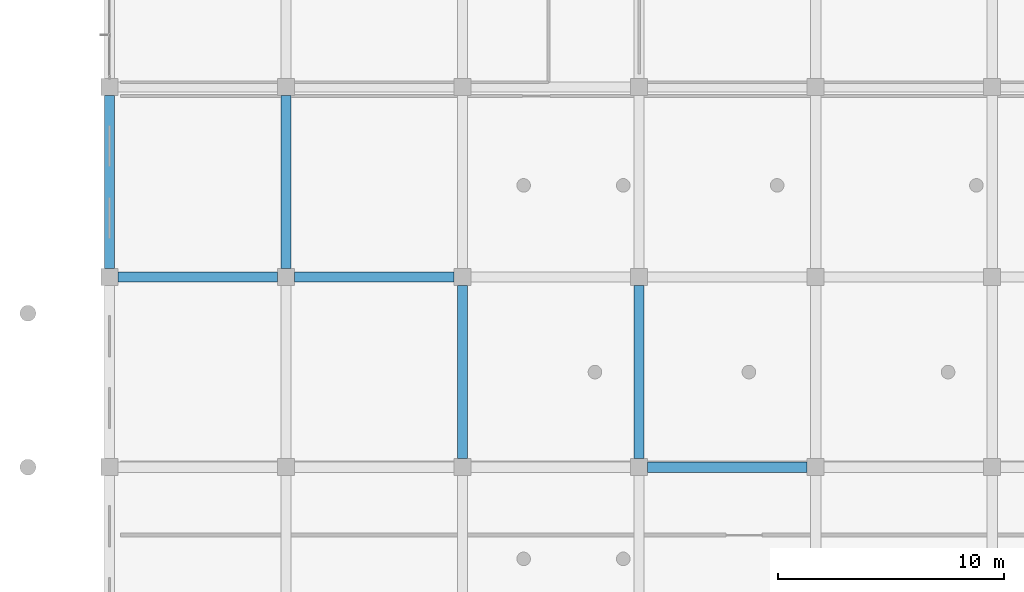
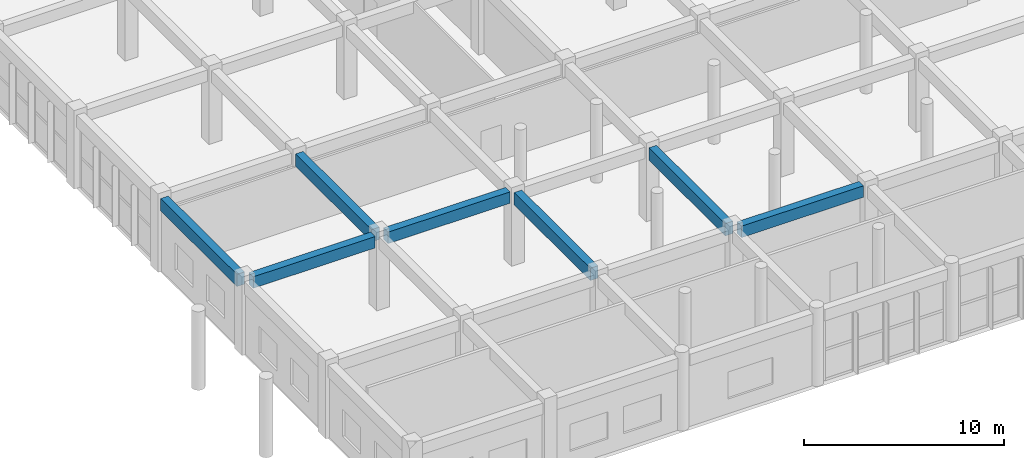
# One storey, part 7 of 167: 7 beams.
"""IFC4 building model written with IfcOpenShell, lengths in metres."""

from ifc_helpers import new_model, si_unit, direction, frame, origin, origin_2d, place, context, subcontext, project, spatial, rectangle, extrude, material, material_profile, profile_set, type_object, element, save


model = new_model("IFC4")

# Units and contexts
model_context = context("Model", 3, precision=1e-05, world=origin(), true_north=direction((0.0, 1.0)))
body_context = subcontext(model_context, "Body", "Model", "MODEL_VIEW")
ifc_project = project(units=[si_unit("LENGTHUNIT", "METRE"), si_unit("AREAUNIT", "SQUARE_METRE"), si_unit("VOLUMEUNIT", "CUBIC_METRE"), si_unit("PLANEANGLEUNIT", "RADIAN"), si_unit("MASSUNIT", "GRAM", prefix="KILO")], contexts=[model_context])

# Site, building, storey
site_placement = place(None, origin())
site = spatial("IfcSite", under=ifc_project, at=site_placement, CompositionType="ELEMENT")
building_placement = place(site_placement, origin())
building = spatial("IfcBuilding", under=site, at=building_placement, Name="Zizhar Promenade General Hospital", CompositionType="ELEMENT")
storey_placement = place(building_placement, frame((0.0, 0.0, 9.60009765625)))
storey = spatial("IfcBuildingStorey", under=building, at=storey_placement, Name="L02", CompositionType="ELEMENT", Elevation=9.60009765625)

# Beams
ifc_material_1 = material(Name="Concrete C35/45", Category="concrete")
ifc_material_profile_1 = material_profile(ifc_material_1, rectangle(XDim=0.449951171875, YDim=0.699951171875, at=origin_2d()))
ifc_profile_set_1 = profile_set([ifc_material_profile_1], Name="Concrete C35/45")
beam_type_1 = type_object("IfcBeamType", Name="BM-RC-450x700", PredefinedType="BEAM", material=ifc_profile_set_1)
for number, where, z_axis, x_axis, name in (
    (1, (0.375, 16.800048828125, 4.119873046875), (1.0, 0.0, 0.0), (0.0, 1.0, 0.0), "Grid Beam X L02 (0-2)"),
    (2, (8.175048828125, 16.800048828125, 4.119873046875), (1.0, 0.0, 0.0), (0.0, 1.0, 0.0), "Grid Beam X L02 (1-2)"),
    (3, (23.77490234375, 8.39990234375, 4.119873046875), (1.0, 0.0, 0.0), (0.0, 1.0, 0.0), "Grid Beam X L02 (3-1)"),
):
    element("IfcBeam", number, at=place(storey_placement, frame(where, z_axis=z_axis, x_axis=x_axis)), inside=storey, type_object=beam_type_1, Name=name, PredefinedType="BEAM", context=body_context, shape_type="SweptSolid", body=[
        extrude(rectangle(XDim=0.449951171875, YDim=0.699951171875, at=origin_2d()), origin(), (0.0, 0.0, 1.0), 7.050048828125),
    ])
ifc_material_2 = material(Name="Concrete C35/45", Category="concrete")
ifc_material_profile_2 = material_profile(ifc_material_2, rectangle(XDim=0.449951171875, YDim=0.75, at=origin_2d()))
ifc_profile_set_2 = profile_set([ifc_material_profile_2], Name="Concrete C35/45")
beam_type_2 = type_object("IfcBeamType", Name="BM-RC-450x750", PredefinedType="BEAM", material=ifc_profile_set_2)
for number, where, z_axis, x_axis, name in (
    (4, (0.0, 17.175048828125, 4.094970703125), (0.0, 1.0, 0.0), (-1.0, 0.0, 0.0), "Grid Beam Y L02 (0-2)"),
    (5, (7.800048828125, 17.175048828125, 4.094970703125), (0.0, 1.0, 0.0), (-1.0, 0.0, 0.0), "Grid Beam Y L02 (1-2)"),
):
    element("IfcBeam", number, at=place(storey_placement, frame(where, z_axis=z_axis, x_axis=x_axis)), inside=storey, type_object=beam_type_2, Name=name, PredefinedType="BEAM", context=body_context, shape_type="SweptSolid", body=[
        extrude(rectangle(XDim=0.449951171875, YDim=0.75, at=origin_2d()), origin(), (0.0, 0.0, 1.0), 7.64990234375),
    ])
for number, where, z_axis, x_axis, name in (
    (6, (15.60009765625, 8.77490234375, 4.094970703125), (0.0, 1.0, 0.0), (-1.0, 0.0, 0.0), "Grid Beam Y L02 (2-1)"),
    (7, (23.39990234375, 8.77490234375, 4.094970703125), (0.0, 1.0, 0.0), (-1.0, 0.0, 0.0), "Grid Beam Y L02 (3-1)"),
):
    element("IfcBeam", number, at=place(storey_placement, frame(where, z_axis=z_axis, x_axis=x_axis)), inside=storey, type_object=beam_type_2, Name=name, PredefinedType="BEAM", context=body_context, shape_type="SweptSolid", body=[
        extrude(rectangle(XDim=0.449951171875, YDim=0.75, at=origin_2d()), origin(), (0.0, 0.0, 1.0), 7.650146484375),
    ])

save(model, "model.ifc")
